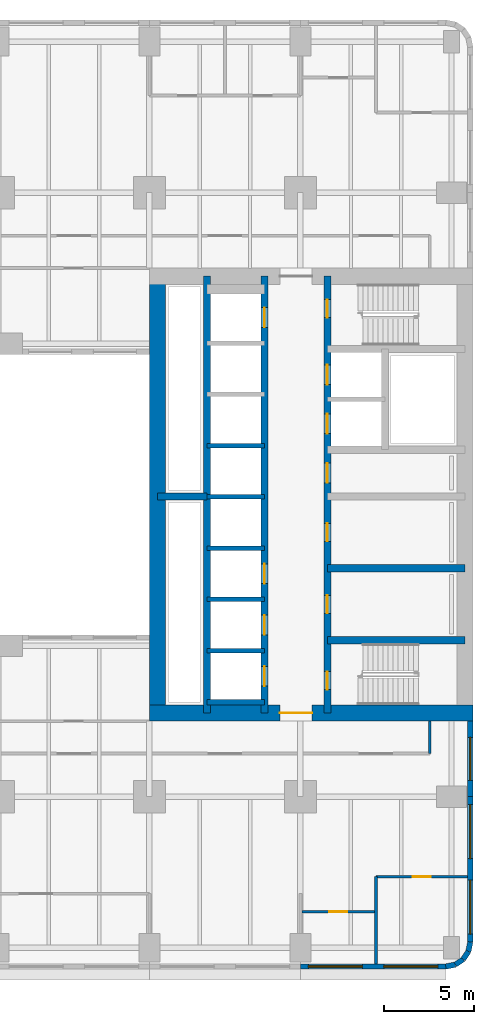
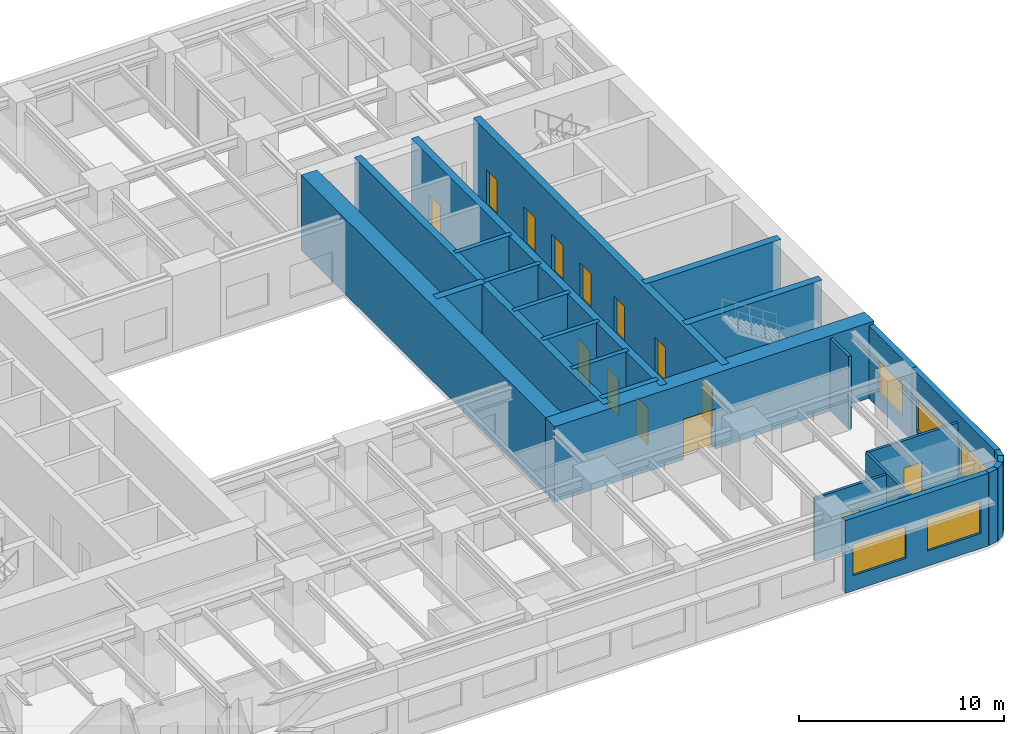
# One storey, part 5 of 12: 25 walls, 14 doors, 5 windows, 19 openings.
"""IFC4 building model written with IfcOpenShell, lengths in metres."""

from ifc_helpers import new_model, si_unit, direction, frame, frame_2d, origin, place, context, subcontext, project, spatial, rectangle, extrude, material, layer, layer_set, type_object, element, fill, save


model = new_model("IFC4")

# Units and contexts
model_context = context("Model", 3, precision=1e-05, world=origin(), true_north=direction((0.0, 1.0)))
body_context = subcontext(model_context, "Body", "Model", "MODEL_VIEW")
ifc_project = project(units=[si_unit("LENGTHUNIT", "METRE"), si_unit("AREAUNIT", "SQUARE_METRE"), si_unit("VOLUMEUNIT", "CUBIC_METRE"), si_unit("PLANEANGLEUNIT", "RADIAN"), si_unit("MASSUNIT", "GRAM", prefix="KILO")], contexts=[model_context])

# Site, building, storey
site_placement = place(None, origin())
site = spatial("IfcSite", under=ifc_project, at=site_placement, CompositionType="ELEMENT")
building_placement = place(site_placement, origin())
building = spatial("IfcBuilding", under=site, at=building_placement, Name="Claustro Exchange Tower", CompositionType="ELEMENT")
storey_placement = place(building_placement, frame((0.0, 0.0, 50.39990234375)))
storey = spatial("IfcBuildingStorey", under=building, at=storey_placement, Name="L11", CompositionType="ELEMENT", Elevation=50.39990234375)

# Wall, opening, door
ifc_material_1 = material(Name="Gypsum board on steel studs", Category="steel")
ifc_layer_1 = layer(ifc_material_1, 0.14990234375)
ifc_layer_set_1 = layer_set([ifc_layer_1], Name="Gypsum board on steel studs")
wall_type_1 = type_object("IfcWallType", Name="P1 150 plasterboard partition", PredefinedType="PARTITIONING", material=ifc_layer_set_1)
wall_1_placement = place(storey_placement, frame((42.073974609375, 2.0, 0.0), z_axis=(0.0, 0.0, 1.0), x_axis=(1.0, 0.0, 0.0)))
wall_1 = element("IfcWall", 1, at=wall_1_placement, inside=storey, type_object=wall_type_1, Name="Partition P1 L11", PredefinedType="PARTITIONING", context=body_context, shape_type="SweptSolid", body=[
    extrude(rectangle(XDim=4.052001953125, YDim=0.14990234375, at=frame_2d((2.02587890625, 0.0))), origin(), (0.0, 0.0, 1.0), 3.739990234375),
])
opening_1_placement = place(wall_1_placement, frame((1.52587890625, 0.0, 0.0)))
opening_1 = element("IfcOpeningElement", 2, at=opening_1_placement, cuts=wall_1, Name="Opening D1", PredefinedType="OPENING", context=body_context, shape_type="SweptSolid", body=[
    extrude(rectangle(XDim=1.0, YDim=2.199951171875, at=frame_2d((0.5, 1.10009765625))), frame((0.0, 0.0849609375, 0.0), z_axis=(0.0, -1.0, 0.0), x_axis=(1.0, 0.0, 0.0)), (0.0, 0.0, 1.0), 0.169921875),
])
ifc_material_2 = material(Name="Timber door, oak veneer", Category="wood")
door_type_1 = type_object("IfcDoorType", Name="D1 1000 x 2200 single door", OperationType="SINGLE_SWING_LEFT", PredefinedType="DOOR", material=ifc_material_2)
door_1_placement = place(opening_1_placement, frame((1.0, 0.0, 0.0), z_axis=(0.0, 0.0, 1.0), x_axis=(-1.0, 0.0, 0.0)))
door_1 = element("IfcDoor", 3, at=door_1_placement, inside=storey, type_object=door_type_1, Name="Door D1 L11", OperationType="SINGLE_SWING_RIGHT", OverallHeight=2.199951171875, OverallWidth=1.0, PredefinedType="DOOR", context=body_context, shape_type="SweptSolid", body=[
    extrude(rectangle(XDim=1.0, YDim=2.199951171875, at=frame_2d((0.5, 1.10009765625))), frame((0.0, 0.02490234375, 0.0), z_axis=(0.0, -1.0, 0.0), x_axis=(1.0, 0.0, 0.0)), (0.0, 0.0, 1.0), 0.050048828125),
])
fill(opening_1, door_1)

wall_2_placement = place(storey_placement, frame((46.199951171875, 3.949951171875, 0.0), z_axis=(0.0, 0.0, 1.0), x_axis=(1.0, 0.0, 0.0)))
wall_2 = element("IfcWall", 4, at=wall_2_placement, inside=storey, type_object=wall_type_1, Name="Partition P1 L11", PredefinedType="PARTITIONING", context=body_context, shape_type="SweptSolid", body=[
    extrude(rectangle(XDim=5.10205078125, YDim=0.14990234375, at=frame_2d((2.551025390625, 0.0))), origin(), (0.0, 0.0, 1.0), 3.840087890625),
])
opening_2_placement = place(wall_2_placement, frame((2.050048828125, 0.0, 0.0)))
opening_2 = element("IfcOpeningElement", 5, at=opening_2_placement, cuts=wall_2, Name="Opening D1", PredefinedType="OPENING", context=body_context, shape_type="SweptSolid", body=[
    extrude(rectangle(XDim=1.0, YDim=2.199951171875, at=frame_2d((0.5, 1.10009765625))), frame((0.0, 0.0849609375, 0.0), z_axis=(0.0, -1.0, 0.0), x_axis=(1.0, 0.0, 0.0)), (0.0, 0.0, 1.0), 0.169921875),
])
door_2_placement = place(opening_2_placement, frame((1.0, 0.0, 0.0), z_axis=(0.0, 0.0, 1.0), x_axis=(-1.0, 0.0, 0.0)))
door_2 = element("IfcDoor", 6, at=door_2_placement, inside=storey, type_object=door_type_1, Name="Door D1 L11", OperationType="SINGLE_SWING_RIGHT", OverallHeight=2.199951171875, OverallWidth=1.0, PredefinedType="DOOR", context=body_context, shape_type="SweptSolid", body=[
    extrude(rectangle(XDim=1.0, YDim=2.199951171875, at=frame_2d((0.5, 1.10009765625))), frame((0.0, 0.02490234375, 0.0), z_axis=(0.0, -1.0, 0.0), x_axis=(1.0, 0.0, 0.0)), (0.0, 0.0, 1.0), 0.050048828125),
])
fill(opening_2, door_2)

# Walls
wall_3_placement = place(storey_placement, frame((46.199951171875, -0.902099609375, 0.0), z_axis=(0.0, 0.0, 1.0), x_axis=(0.0, 1.0, 0.0)))
element("IfcWall", 7, at=wall_3_placement, inside=storey, type_object=wall_type_1, Name="Partition P1 L11", PredefinedType="PARTITIONING", context=body_context, shape_type="SweptSolid", body=[
    extrude(rectangle(XDim=4.85205078125, YDim=0.14990234375, at=frame_2d((2.426025390625, 0.0))), origin(), (0.0, 0.0, 1.0), 3.840087890625),
])
wall_4_placement = place(storey_placement, frame((49.199951171875, 10.800048828125, 0.0), z_axis=(0.0, 0.0, 1.0), x_axis=(0.0, 1.0, 0.0)))
element("IfcWall", 8, at=wall_4_placement, inside=storey, type_object=wall_type_1, Name="Partition P1 L11", PredefinedType="PARTITIONING", context=body_context, shape_type="SweptSolid", body=[
    extrude(rectangle(XDim=1.802001953125, YDim=0.14990234375, at=frame_2d((0.90087890625, 0.0))), origin(), (0.0, 0.0, 1.0), 4.340087890625),
])

# Wall, openings, windows
ifc_material_3 = material(Name="Concrete HA-40 (C40/50), precast, white cement, acid-etched", Category="concrete")
ifc_layer_2 = layer(ifc_material_3, 0.300048828125)
ifc_layer_set_2 = layer_set([ifc_layer_2], Name="Concrete HA-40 (C40/50), precast, white cement, acid-etched")
wall_type_2 = type_object("IfcWallType", Name="PC1 300 precast concrete pier panel", PredefinedType="SOLIDWALL", material=ifc_layer_set_2)
wall_5_placement = place(storey_placement, frame((50.085205078125, -1.050048828125, 0.0), z_axis=(0.0, 0.0, 1.0), x_axis=(-1.0, 0.0, 0.0)))
wall_5 = element("IfcWall", 9, at=wall_5_placement, inside=storey, type_object=wall_type_2, Name="Precast pier panel PC1 L11", PredefinedType="SOLIDWALL", context=body_context, shape_type="SweptSolid", body=[
    extrude(rectangle(XDim=8.085205078125, YDim=0.300048828125, at=frame_2d((4.04248046875, 0.0))), origin(), (0.0, 0.0, 1.0), 4.340087890625),
])
opening_3_placement = place(wall_5_placement, frame((0.442626953125, 0.0, 0.89990234375)))
opening_3 = element("IfcOpeningElement", 10, at=opening_3_placement, cuts=wall_5, Name="Opening W1", PredefinedType="OPENING", context=body_context, shape_type="SweptSolid", body=[
    extrude(rectangle(XDim=3.0, YDim=1.89990234375, at=frame_2d((1.5, 0.949951171875))), frame((0.0, 0.159912109375, 0.0), z_axis=(0.0, -1.0, 0.0), x_axis=(1.0, 0.0, 0.0)), (0.0, 0.0, 1.0), 0.320068359375),
])
opening_4_placement = place(wall_5_placement, frame((4.642578125, 0.0, 0.89990234375)))
opening_4 = element("IfcOpeningElement", 11, at=opening_4_placement, cuts=wall_5, Name="Opening W1", PredefinedType="OPENING", context=body_context, shape_type="SweptSolid", body=[
    extrude(rectangle(XDim=3.0, YDim=1.89990234375, at=frame_2d((1.5, 0.949951171875))), frame((0.0, 0.159912109375, 0.0), z_axis=(0.0, -1.0, 0.0), x_axis=(1.0, 0.0, 0.0)), (0.0, 0.0, 1.0), 0.320068359375),
])
ifc_material_4 = material(Name="Aluminium frame, clear double glazing", Category="aluminium")
window_type_1 = type_object("IfcWindowType", Name="W1 3000 x 1900 window", PartitioningType="SINGLE_PANEL", PredefinedType="WINDOW", material=ifc_material_4)
window_1_placement = place(opening_3_placement, origin())
window_1 = element("IfcWindow", 12, at=window_1_placement, inside=storey, type_object=window_type_1, Name="Window W1 L11", OverallHeight=1.89990234375, OverallWidth=3.0, PartitioningType="SINGLE_PANEL", PredefinedType="WINDOW", context=body_context, shape_type="SweptSolid", body=[
    extrude(rectangle(XDim=3.0, YDim=1.89990234375, at=frame_2d((1.5, 0.949951171875))), frame((0.0, 0.030029296875, 0.0), z_axis=(0.0, -1.0, 0.0), x_axis=(1.0, 0.0, 0.0)), (0.0, 0.0, 1.0), 0.06005859375),
])
fill(opening_3, window_1)
window_2_placement = place(opening_4_placement, origin())
window_2 = element("IfcWindow", 13, at=window_2_placement, inside=storey, type_object=window_type_1, Name="Window W1 L11", OverallHeight=1.89990234375, OverallWidth=3.0, PartitioningType="SINGLE_PANEL", PredefinedType="WINDOW", context=body_context, shape_type="SweptSolid", body=[
    extrude(rectangle(XDim=3.0, YDim=1.89990234375, at=frame_2d((1.5, 0.949951171875))), frame((0.0, 0.030029296875, 0.0), z_axis=(0.0, -1.0, 0.0), x_axis=(1.0, 0.0, 0.0)), (0.0, 0.0, 1.0), 0.06005859375),
])
fill(opening_4, window_2)

# Wall, opening, window
wall_6_placement = place(storey_placement, frame((51.449951171875, 12.60009765625, 0.0), z_axis=(0.0, 0.0, 1.0), x_axis=(0.0, -1.0, 0.0)))
wall_6 = element("IfcWall", 14, at=wall_6_placement, inside=storey, type_object=wall_type_2, Name="Precast pier panel PC1 L11", PredefinedType="SOLIDWALL", context=body_context, shape_type="SweptSolid", body=[
    extrude(rectangle(XDim=4.2001953125, YDim=0.300048828125, at=frame_2d((2.10009765625, 0.0))), origin(), (0.0, 0.0, 1.0), 4.340087890625),
])
opening_5_placement = place(wall_6_placement, frame((0.89990234375, 0.0, 0.89990234375)))
opening_5 = element("IfcOpeningElement", 15, at=opening_5_placement, cuts=wall_6, Name="Opening W2", PredefinedType="OPENING", context=body_context, shape_type="SweptSolid", body=[
    extrude(rectangle(XDim=2.39990234375, YDim=1.89990234375, at=frame_2d((1.199951171875, 0.949951171875))), frame((0.0, 0.159912109375, 0.0), z_axis=(0.0, -1.0, 0.0), x_axis=(1.0, 0.0, 0.0)), (0.0, 0.0, 1.0), 0.320068359375),
])
ifc_material_5 = material(Name="Aluminium frame, clear double glazing", Category="aluminium")
window_type_2 = type_object("IfcWindowType", Name="W2 2400 x 1900 window", PartitioningType="SINGLE_PANEL", PredefinedType="WINDOW", material=ifc_material_5)
window_3_placement = place(opening_5_placement, origin())
window_3 = element("IfcWindow", 16, at=window_3_placement, inside=storey, type_object=window_type_2, Name="Window W2 L11", OverallHeight=1.89990234375, OverallWidth=2.39990234375, PartitioningType="SINGLE_PANEL", PredefinedType="WINDOW", context=body_context, shape_type="SweptSolid", body=[
    extrude(rectangle(XDim=2.39990234375, YDim=1.89990234375, at=frame_2d((1.199951171875, 0.949951171875))), frame((0.0, 0.030029296875, 0.0), z_axis=(0.0, -1.0, 0.0), x_axis=(1.0, 0.0, 0.0)), (0.0, 0.0, 1.0), 0.06005859375),
])
fill(opening_5, window_3)

# Wall, openings, windows
wall_7_placement = place(storey_placement, frame((51.449951171875, 8.39990234375, 0.0), z_axis=(0.0, 0.0, 1.0), x_axis=(0.0, -1.0, 0.0)))
wall_7 = element("IfcWall", 17, at=wall_7_placement, inside=storey, type_object=wall_type_2, Name="Precast pier panel PC1 L11", PredefinedType="SOLIDWALL", context=body_context, shape_type="SweptSolid", body=[
    extrude(rectangle(XDim=8.085205078125, YDim=0.300048828125, at=frame_2d((4.04248046875, 0.0))), origin(), (0.0, 0.0, 1.0), 4.340087890625),
])
opening_6_placement = place(wall_7_placement, frame((0.442626953125, 0.0, 0.89990234375)))
opening_6 = element("IfcOpeningElement", 18, at=opening_6_placement, cuts=wall_7, Name="Opening W1", PredefinedType="OPENING", context=body_context, shape_type="SweptSolid", body=[
    extrude(rectangle(XDim=3.0, YDim=1.89990234375, at=frame_2d((1.5, 0.949951171875))), frame((0.0, 0.159912109375, 0.0), z_axis=(0.0, -1.0, 0.0), x_axis=(1.0, 0.0, 0.0)), (0.0, 0.0, 1.0), 0.320068359375),
])
opening_7_placement = place(wall_7_placement, frame((4.642578125, 0.0, 0.89990234375)))
opening_7 = element("IfcOpeningElement", 19, at=opening_7_placement, cuts=wall_7, Name="Opening W1", PredefinedType="OPENING", context=body_context, shape_type="SweptSolid", body=[
    extrude(rectangle(XDim=3.0, YDim=1.89990234375, at=frame_2d((1.5, 0.949951171875))), frame((0.0, 0.159912109375, 0.0), z_axis=(0.0, -1.0, 0.0), x_axis=(1.0, 0.0, 0.0)), (0.0, 0.0, 1.0), 0.320068359375),
])
window_4_placement = place(opening_6_placement, origin())
window_4 = element("IfcWindow", 20, at=window_4_placement, inside=storey, type_object=window_type_1, Name="Window W1 L11", OverallHeight=1.89990234375, OverallWidth=3.0, PartitioningType="SINGLE_PANEL", PredefinedType="WINDOW", context=body_context, shape_type="SweptSolid", body=[
    extrude(rectangle(XDim=3.0, YDim=1.89990234375, at=frame_2d((1.5, 0.949951171875))), frame((0.0, 0.030029296875, 0.0), z_axis=(0.0, -1.0, 0.0), x_axis=(1.0, 0.0, 0.0)), (0.0, 0.0, 1.0), 0.06005859375),
])
fill(opening_6, window_4)
window_5_placement = place(opening_7_placement, origin())
window_5 = element("IfcWindow", 21, at=window_5_placement, inside=storey, type_object=window_type_1, Name="Window W1 L11", OverallHeight=1.89990234375, OverallWidth=3.0, PartitioningType="SINGLE_PANEL", PredefinedType="WINDOW", context=body_context, shape_type="SweptSolid", body=[
    extrude(rectangle(XDim=3.0, YDim=1.89990234375, at=frame_2d((1.5, 0.949951171875))), frame((0.0, 0.030029296875, 0.0), z_axis=(0.0, -1.0, 0.0), x_axis=(1.0, 0.0, 0.0)), (0.0, 0.0, 1.0), 0.06005859375),
])
fill(opening_7, window_5)

# Walls
wall_8_placement = place(storey_placement, frame((51.449951171875, 0.314697265625, 0.0), z_axis=(0.0, 0.0, 1.0), x_axis=(-0.195073962632, -0.980788534345, 0.0)))
element("IfcWall", 22, at=wall_8_placement, inside=storey, type_object=wall_type_2, Name="Precast pier panel PC1 L11", PredefinedType="SOLIDWALL", context=body_context, shape_type="SweptSolid", body=[
    extrude(rectangle(XDim=0.540771484375, YDim=0.300048828125, at=frame_2d((0.2705078125, 0.0))), origin(), (0.0, 0.0, 1.0), 4.340087890625),
])
for number, where, z_axis, x_axis, name in (
    (23, (51.344482421875, -0.215576171875, 0.0), (0.0, 0.0, 1.0), (-0.555557463938, -0.831478144188, 0.0), "Precast pier panel PC1 L11"),
    (24, (51.052490234375, -0.652587890625, 0.0), (0.0, 0.0, 1.0), (-0.831478144188, -0.555557463938, 0.0), "Precast pier panel PC1 L11"),
):
    element("IfcWall", number, at=place(storey_placement, frame(where, z_axis=z_axis, x_axis=x_axis)), inside=storey, type_object=wall_type_2, Name=name, PredefinedType="SOLIDWALL", context=body_context, shape_type="SweptSolid", body=[
        extrude(rectangle(XDim=0.525634765625, YDim=0.300048828125, at=frame_2d((0.2626953125, 0.0))), origin(), (0.0, 0.0, 1.0), 4.340087890625),
    ])
wall_9_placement = place(storey_placement, frame((50.615478515625, -0.944580078125, 0.0), z_axis=(0.0, 0.0, 1.0), x_axis=(-0.980788534345, -0.195073962632, 0.0)))
element("IfcWall", 25, at=wall_9_placement, inside=storey, type_object=wall_type_2, Name="Precast pier panel PC1 L11", PredefinedType="SOLIDWALL", context=body_context, shape_type="SweptSolid", body=[
    extrude(rectangle(XDim=0.540771484375, YDim=0.300048828125, at=frame_2d((0.2705078125, 0.0))), origin(), (0.0, 0.0, 1.0), 4.340087890625),
])

# Wall, opening, door
ifc_material_6 = material(Name="Concrete HA-70 (C70/85)", Category="concrete")
ifc_layer_3 = layer(ifc_material_6, 0.89990234375)
ifc_layer_set_3 = layer_set([ifc_layer_3], Name="Concrete HA-70 (C70/85)")
wall_type_3 = type_object("IfcWallType", Name="SW1 900 core shear wall", PredefinedType="SHEAR", material=ifc_layer_set_3)
wall_10_placement = place(storey_placement, frame((33.60009765625, 13.050048828125, 0.0), z_axis=(0.0, 0.0, 1.0), x_axis=(1.0, 0.0, 0.0)))
wall_10 = element("IfcWall", 26, at=wall_10_placement, inside=storey, type_object=wall_type_3, Name="Core wall SW1 E core S face L11", PredefinedType="SHEAR", context=body_context, shape_type="SweptSolid", body=[
    extrude(rectangle(XDim=18.0, YDim=0.89990234375, at=frame_2d((9.0, 0.0))), origin(), (0.0, 0.0, 1.0), 4.5),
])
opening_8_placement = place(wall_10_placement, frame((7.25, 0.0, 0.0)))
opening_8 = element("IfcOpeningElement", 27, at=opening_8_placement, cuts=wall_10, Name="Opening D3", PredefinedType="OPENING", context=body_context, shape_type="SweptSolid", body=[
    extrude(rectangle(XDim=1.800048828125, YDim=2.39990234375, at=frame_2d((0.89990234375, 1.199951171875))), frame((0.0, 0.4599609375, 0.0), z_axis=(0.0, -1.0, 0.0), x_axis=(1.0, 0.0, 0.0)), (0.0, 0.0, 1.0), 0.919921875),
])
ifc_material_7 = material(Name="Steel fire door, painted", Category="steel")
door_type_2 = type_object("IfcDoorType", Name="D3 1800 x 2400 fire-rated lobby double door", OperationType="DOUBLE_DOOR_SINGLE_SWING", PredefinedType="DOOR", material=ifc_material_7)
door_3_placement = place(opening_8_placement, origin())
door_3 = element("IfcDoor", 28, at=door_3_placement, inside=storey, type_object=door_type_2, Name="Lift lobby door D3 L11", OperationType="DOUBLE_DOOR_SINGLE_SWING", OverallHeight=2.39990234375, OverallWidth=1.800048828125, PredefinedType="DOOR", context=body_context, shape_type="SweptSolid", body=[
    extrude(rectangle(XDim=1.800048828125, YDim=2.39990234375, at=frame_2d((0.89990234375, 1.199951171875))), frame((0.0, 0.02490234375, 0.0), z_axis=(0.0, -1.0, 0.0), x_axis=(1.0, 0.0, 0.0)), (0.0, 0.0, 1.0), 0.050048828125),
])
fill(opening_8, door_3)

# Wall
ifc_material_8 = material(Name="Concrete HA-70 (C70/85)", Category="concrete")
ifc_layer_4 = layer(ifc_material_8, 0.89990234375)
ifc_layer_set_4 = layer_set([ifc_layer_4], Name="Concrete HA-70 (C70/85)")
wall_type_4 = type_object("IfcWallType", Name="SW1X 900 exposed core shear wall, board-marked face", PredefinedType="SHEAR", material=ifc_layer_set_4)
wall_11_placement = place(storey_placement, frame((34.050048828125, 13.050048828125, 0.0), z_axis=(0.0, 0.0, 1.0), x_axis=(0.0, 1.0, 0.0)))
element("IfcWall", 29, at=wall_11_placement, inside=storey, type_object=wall_type_4, Name="Core wall SW1X E core W face L11", PredefinedType="SHEAR", context=body_context, shape_type="SweptSolid", body=[
    extrude(rectangle(XDim=24.300048828125, YDim=0.89990234375, at=frame_2d((12.14990234375, 0.0))), origin(), (0.0, 0.0, 1.0), 4.5),
])

# Wall, openings, doors
ifc_material_9 = material(Name="Concrete HA-50 (C50/60)", Category="concrete")
ifc_layer_5 = layer(ifc_material_9, 0.39990234375)
ifc_layer_set_5 = layer_set([ifc_layer_5], Name="Concrete HA-50 (C50/60)")
wall_type_5 = type_object("IfcWallType", Name="SW4 400 internal core wall", PredefinedType="SHEAR", material=ifc_layer_set_5)
wall_12_placement = place(storey_placement, frame((43.5, 13.050048828125, 0.0), z_axis=(0.0, 0.0, 1.0), x_axis=(0.0, 1.0, 0.0)))
wall_12 = element("IfcWall", 30, at=wall_12_placement, inside=storey, type_object=wall_type_5, Name="Internal core wall SW4 E core L11", PredefinedType="SHEAR", context=body_context, shape_type="SweptSolid", body=[
    extrude(rectangle(XDim=24.300048828125, YDim=0.39990234375, at=frame_2d((12.14990234375, 0.0))), origin(), (0.0, 0.0, 1.0), 4.5),
])
opening_9_placement = place(wall_12_placement, frame((1.300048828125, 0.0, 0.0)))
opening_9 = element("IfcOpeningElement", 31, at=opening_9_placement, cuts=wall_12, Name="Opening D4", PredefinedType="OPENING", context=body_context, shape_type="SweptSolid", body=[
    extrude(rectangle(XDim=1.0, YDim=2.199951171875, at=frame_2d((0.5, 1.10009765625))), frame((0.0, 0.2099609375, 0.0), z_axis=(0.0, -1.0, 0.0), x_axis=(1.0, 0.0, 0.0)), (0.0, 0.0, 1.0), 0.419921875),
])
opening_10_placement = place(wall_12_placement, frame((22.0, 0.0, 0.0)))
opening_10 = element("IfcOpeningElement", 32, at=opening_10_placement, cuts=wall_12, Name="Opening D4", PredefinedType="OPENING", context=body_context, shape_type="SweptSolid", body=[
    extrude(rectangle(XDim=1.0, YDim=2.199951171875, at=frame_2d((0.5, 1.10009765625))), frame((0.0, 0.2099609375, 0.0), z_axis=(0.0, -1.0, 0.0), x_axis=(1.0, 0.0, 0.0)), (0.0, 0.0, 1.0), 0.419921875),
])
opening_11_placement = place(wall_12_placement, frame((5.550048828125, 0.0, 0.0)))
opening_11 = element("IfcOpeningElement", 33, at=opening_11_placement, cuts=wall_12, Name="Opening D1", PredefinedType="OPENING", context=body_context, shape_type="SweptSolid", body=[
    extrude(rectangle(XDim=1.0, YDim=2.199951171875, at=frame_2d((0.5, 1.10009765625))), frame((0.0, 0.2099609375, 0.0), z_axis=(0.0, -1.0, 0.0), x_axis=(1.0, 0.0, 0.0)), (0.0, 0.0, 1.0), 0.419921875),
])
opening_12_placement = place(wall_12_placement, frame((9.550048828125, 0.0, 0.0)))
opening_12 = element("IfcOpeningElement", 34, at=opening_12_placement, cuts=wall_12, Name="Opening D1", PredefinedType="OPENING", context=body_context, shape_type="SweptSolid", body=[
    extrude(rectangle(XDim=1.0, YDim=2.199951171875, at=frame_2d((0.5, 1.10009765625))), frame((0.0, 0.2099609375, 0.0), z_axis=(0.0, -1.0, 0.0), x_axis=(1.0, 0.0, 0.0)), (0.0, 0.0, 1.0), 0.419921875),
])
opening_13_placement = place(wall_12_placement, frame((12.800048828125, 0.0, 0.0)))
opening_13 = element("IfcOpeningElement", 35, at=opening_13_placement, cuts=wall_12, Name="Opening D10", PredefinedType="OPENING", context=body_context, shape_type="SweptSolid", body=[
    extrude(rectangle(XDim=1.10009765625, YDim=2.199951171875, at=frame_2d((0.550048828125, 1.10009765625))), frame((0.0, 0.2099609375, 0.0), z_axis=(0.0, -1.0, 0.0), x_axis=(1.0, 0.0, 0.0)), (0.0, 0.0, 1.0), 0.419921875),
])
opening_14_placement = place(wall_12_placement, frame((15.53759765625, 0.0, 0.0)))
opening_14 = element("IfcOpeningElement", 36, at=opening_14_placement, cuts=wall_12, Name="Opening LD", PredefinedType="OPENING", context=body_context, shape_type="SweptSolid", body=[
    extrude(rectangle(XDim=1.10009765625, YDim=2.199951171875, at=frame_2d((0.550048828125, 1.10009765625))), frame((0.0, 0.2099609375, 0.0), z_axis=(0.0, -1.0, 0.0), x_axis=(1.0, 0.0, 0.0)), (0.0, 0.0, 1.0), 0.419921875),
])
opening_15_placement = place(wall_12_placement, frame((18.262451171875, 0.0, 0.0)))
opening_15 = element("IfcOpeningElement", 37, at=opening_15_placement, cuts=wall_12, Name="Opening LD", PredefinedType="OPENING", context=body_context, shape_type="SweptSolid", body=[
    extrude(rectangle(XDim=1.10009765625, YDim=2.199951171875, at=frame_2d((0.550048828125, 1.10009765625))), frame((0.0, 0.2099609375, 0.0), z_axis=(0.0, -1.0, 0.0), x_axis=(1.0, 0.0, 0.0)), (0.0, 0.0, 1.0), 0.419921875),
])
door_4_placement = place(opening_11_placement, frame((1.0, 0.0, 0.0), z_axis=(0.0, 0.0, 1.0), x_axis=(-1.0, 0.0, 0.0)))
door_4 = element("IfcDoor", 38, at=door_4_placement, inside=storey, type_object=door_type_1, Name="Door D1 L11", OperationType="SINGLE_SWING_LEFT", OverallHeight=2.199951171875, OverallWidth=1.0, PredefinedType="DOOR", context=body_context, shape_type="SweptSolid", body=[
    extrude(rectangle(XDim=1.0, YDim=2.199951171875, at=frame_2d((0.5, 1.10009765625))), frame((0.0, 0.02490234375, 0.0), z_axis=(0.0, -1.0, 0.0), x_axis=(1.0, 0.0, 0.0)), (0.0, 0.0, 1.0), 0.050048828125),
])
fill(opening_11, door_4)
door_5_placement = place(opening_12_placement, frame((1.0, 0.0, 0.0), z_axis=(0.0, 0.0, 1.0), x_axis=(-1.0, 0.0, 0.0)))
door_5 = element("IfcDoor", 39, at=door_5_placement, inside=storey, type_object=door_type_1, Name="Door D1 L11", OperationType="SINGLE_SWING_LEFT", OverallHeight=2.199951171875, OverallWidth=1.0, PredefinedType="DOOR", context=body_context, shape_type="SweptSolid", body=[
    extrude(rectangle(XDim=1.0, YDim=2.199951171875, at=frame_2d((0.5, 1.10009765625))), frame((0.0, 0.02490234375, 0.0), z_axis=(0.0, -1.0, 0.0), x_axis=(1.0, 0.0, 0.0)), (0.0, 0.0, 1.0), 0.050048828125),
])
fill(opening_12, door_5)
ifc_material_10 = material(Name="Timber door, oak veneer", Category="wood")
door_type_3 = type_object("IfcDoorType", Name="D10 1100 x 2200 accessible WC door", OperationType="SINGLE_SWING_LEFT", PredefinedType="DOOR", material=ifc_material_10)
door_6_placement = place(opening_13_placement, origin())
door_6 = element("IfcDoor", 40, at=door_6_placement, inside=storey, type_object=door_type_3, Name="Accessible WC door D10 L11", OperationType="SINGLE_SWING_RIGHT", OverallHeight=2.199951171875, OverallWidth=1.10009765625, PredefinedType="DOOR", context=body_context, shape_type="SweptSolid", body=[
    extrude(rectangle(XDim=1.10009765625, YDim=2.199951171875, at=frame_2d((0.550048828125, 1.10009765625))), frame((0.0, 0.02490234375, 0.0), z_axis=(0.0, -1.0, 0.0), x_axis=(1.0, 0.0, 0.0)), (0.0, 0.0, 1.0), 0.050048828125),
])
fill(opening_13, door_6)
ifc_material_11 = material(Name="Steel fire door, painted", Category="steel")
door_type_4 = type_object("IfcDoorType", Name="D4 1000 x 2200 fire-rated stair door", OperationType="SINGLE_SWING_LEFT", PredefinedType="DOOR", material=ifc_material_11)
door_7_placement = place(opening_9_placement, frame((1.0, 0.0, 0.0), z_axis=(0.0, 0.0, 1.0), x_axis=(-1.0, 0.0, 0.0)))
door_7 = element("IfcDoor", 41, at=door_7_placement, inside=storey, type_object=door_type_4, Name="Stair door D4 L11", OperationType="SINGLE_SWING_RIGHT", OverallHeight=2.199951171875, OverallWidth=1.0, PredefinedType="DOOR", context=body_context, shape_type="SweptSolid", body=[
    extrude(rectangle(XDim=1.0, YDim=2.199951171875, at=frame_2d((0.5, 1.10009765625))), frame((0.0, 0.02490234375, 0.0), z_axis=(0.0, -1.0, 0.0), x_axis=(1.0, 0.0, 0.0)), (0.0, 0.0, 1.0), 0.050048828125),
])
fill(opening_9, door_7)
door_8_placement = place(opening_10_placement, frame((1.0, 0.0, 0.0), z_axis=(0.0, 0.0, 1.0), x_axis=(-1.0, 0.0, 0.0)))
door_8 = element("IfcDoor", 42, at=door_8_placement, inside=storey, type_object=door_type_4, Name="Stair door D4 L11", OperationType="SINGLE_SWING_LEFT", OverallHeight=2.199951171875, OverallWidth=1.0, PredefinedType="DOOR", context=body_context, shape_type="SweptSolid", body=[
    extrude(rectangle(XDim=1.0, YDim=2.199951171875, at=frame_2d((0.5, 1.10009765625))), frame((0.0, 0.02490234375, 0.0), z_axis=(0.0, -1.0, 0.0), x_axis=(1.0, 0.0, 0.0)), (0.0, 0.0, 1.0), 0.050048828125),
])
fill(opening_10, door_8)
ifc_material_12 = material(Name="Stainless steel sliding door", Category="steel")
door_type_5 = type_object("IfcDoorType", Name="LD 1100 x 2200 lift landing door", OperationType="DOUBLE_DOOR_SLIDING", PredefinedType="DOOR", material=ifc_material_12)
door_9_placement = place(opening_14_placement, origin())
door_9 = element("IfcDoor", 43, at=door_9_placement, inside=storey, type_object=door_type_5, Name="Lift landing door LEE1 LD L11", OperationType="DOUBLE_DOOR_SLIDING", OverallHeight=2.199951171875, OverallWidth=1.10009765625, PredefinedType="DOOR", context=body_context, shape_type="SweptSolid", body=[
    extrude(rectangle(XDim=1.10009765625, YDim=2.199951171875, at=frame_2d((0.550048828125, 1.10009765625))), frame((0.0, 0.02490234375, 0.0), z_axis=(0.0, -1.0, 0.0), x_axis=(1.0, 0.0, 0.0)), (0.0, 0.0, 1.0), 0.050048828125),
])
fill(opening_14, door_9)
door_10_placement = place(opening_15_placement, origin())
door_10 = element("IfcDoor", 44, at=door_10_placement, inside=storey, type_object=door_type_5, Name="Lift landing door LEE2 LD L11", OperationType="DOUBLE_DOOR_SLIDING", OverallHeight=2.199951171875, OverallWidth=1.10009765625, PredefinedType="DOOR", context=body_context, shape_type="SweptSolid", body=[
    extrude(rectangle(XDim=1.10009765625, YDim=2.199951171875, at=frame_2d((0.550048828125, 1.10009765625))), frame((0.0, 0.02490234375, 0.0), z_axis=(0.0, -1.0, 0.0), x_axis=(1.0, 0.0, 0.0)), (0.0, 0.0, 1.0), 0.050048828125),
])
fill(opening_15, door_10)

wall_13_placement = place(storey_placement, frame((40.0, 13.050048828125, 0.0), z_axis=(0.0, 0.0, 1.0), x_axis=(0.0, 1.0, 0.0)))
wall_13 = element("IfcWall", 45, at=wall_13_placement, inside=storey, type_object=wall_type_5, Name="Internal core wall SW4 E core L11", PredefinedType="SHEAR", context=body_context, shape_type="SweptSolid", body=[
    extrude(rectangle(XDim=24.300048828125, YDim=0.39990234375, at=frame_2d((12.14990234375, 0.0))), origin(), (0.0, 0.0, 1.0), 4.5),
])
opening_16_placement = place(wall_13_placement, frame((1.5, 0.0, 0.0)))
opening_16 = element("IfcOpeningElement", 46, at=opening_16_placement, cuts=wall_13, Name="Opening LD", PredefinedType="OPENING", context=body_context, shape_type="SweptSolid", body=[
    extrude(rectangle(XDim=1.10009765625, YDim=2.199951171875, at=frame_2d((0.550048828125, 1.10009765625))), frame((0.0, 0.2099609375, 0.0), z_axis=(0.0, -1.0, 0.0), x_axis=(1.0, 0.0, 0.0)), (0.0, 0.0, 1.0), 0.419921875),
])
opening_17_placement = place(wall_13_placement, frame((4.35009765625, 0.0, 0.0)))
opening_17 = element("IfcOpeningElement", 47, at=opening_17_placement, cuts=wall_13, Name="Opening LD", PredefinedType="OPENING", context=body_context, shape_type="SweptSolid", body=[
    extrude(rectangle(XDim=1.10009765625, YDim=2.199951171875, at=frame_2d((0.550048828125, 1.10009765625))), frame((0.0, 0.2099609375, 0.0), z_axis=(0.0, -1.0, 0.0), x_axis=(1.0, 0.0, 0.0)), (0.0, 0.0, 1.0), 0.419921875),
])
opening_18_placement = place(wall_13_placement, frame((7.199951171875, 0.0, 0.0)))
opening_18 = element("IfcOpeningElement", 48, at=opening_18_placement, cuts=wall_13, Name="Opening LD", PredefinedType="OPENING", context=body_context, shape_type="SweptSolid", body=[
    extrude(rectangle(XDim=1.10009765625, YDim=2.199951171875, at=frame_2d((0.550048828125, 1.10009765625))), frame((0.0, 0.2099609375, 0.0), z_axis=(0.0, -1.0, 0.0), x_axis=(1.0, 0.0, 0.0)), (0.0, 0.0, 1.0), 0.419921875),
])
opening_19_placement = place(wall_13_placement, frame((21.449951171875, 0.0, 0.0)))
opening_19 = element("IfcOpeningElement", 49, at=opening_19_placement, cuts=wall_13, Name="Opening LD", PredefinedType="OPENING", context=body_context, shape_type="SweptSolid", body=[
    extrude(rectangle(XDim=1.10009765625, YDim=2.199951171875, at=frame_2d((0.550048828125, 1.10009765625))), frame((0.0, 0.2099609375, 0.0), z_axis=(0.0, -1.0, 0.0), x_axis=(1.0, 0.0, 0.0)), (0.0, 0.0, 1.0), 0.419921875),
])
door_11_placement = place(opening_16_placement, origin())
door_11 = element("IfcDoor", 50, at=door_11_placement, inside=storey, type_object=door_type_5, Name="Lift landing door LLE1 LD L11", OperationType="DOUBLE_DOOR_SLIDING", OverallHeight=2.199951171875, OverallWidth=1.10009765625, PredefinedType="DOOR", context=body_context, shape_type="SweptSolid", body=[
    extrude(rectangle(XDim=1.10009765625, YDim=2.199951171875, at=frame_2d((0.550048828125, 1.10009765625))), frame((0.0, 0.02490234375, 0.0), z_axis=(0.0, -1.0, 0.0), x_axis=(1.0, 0.0, 0.0)), (0.0, 0.0, 1.0), 0.050048828125),
])
fill(opening_16, door_11)
door_12_placement = place(opening_17_placement, origin())
door_12 = element("IfcDoor", 51, at=door_12_placement, inside=storey, type_object=door_type_5, Name="Lift landing door LLE2 LD L11", OperationType="DOUBLE_DOOR_SLIDING", OverallHeight=2.199951171875, OverallWidth=1.10009765625, PredefinedType="DOOR", context=body_context, shape_type="SweptSolid", body=[
    extrude(rectangle(XDim=1.10009765625, YDim=2.199951171875, at=frame_2d((0.550048828125, 1.10009765625))), frame((0.0, 0.02490234375, 0.0), z_axis=(0.0, -1.0, 0.0), x_axis=(1.0, 0.0, 0.0)), (0.0, 0.0, 1.0), 0.050048828125),
])
fill(opening_17, door_12)
door_13_placement = place(opening_18_placement, origin())
door_13 = element("IfcDoor", 52, at=door_13_placement, inside=storey, type_object=door_type_5, Name="Lift landing door LLE3 LD L11", OperationType="DOUBLE_DOOR_SLIDING", OverallHeight=2.199951171875, OverallWidth=1.10009765625, PredefinedType="DOOR", context=body_context, shape_type="SweptSolid", body=[
    extrude(rectangle(XDim=1.10009765625, YDim=2.199951171875, at=frame_2d((0.550048828125, 1.10009765625))), frame((0.0, 0.02490234375, 0.0), z_axis=(0.0, -1.0, 0.0), x_axis=(1.0, 0.0, 0.0)), (0.0, 0.0, 1.0), 0.050048828125),
])
fill(opening_18, door_13)
door_14_placement = place(opening_19_placement, origin())
door_14 = element("IfcDoor", 53, at=door_14_placement, inside=storey, type_object=door_type_5, Name="Lift landing door LSE1 LD L11", OperationType="DOUBLE_DOOR_SLIDING", OverallHeight=2.199951171875, OverallWidth=1.10009765625, PredefinedType="DOOR", context=body_context, shape_type="SweptSolid", body=[
    extrude(rectangle(XDim=1.10009765625, YDim=2.199951171875, at=frame_2d((0.550048828125, 1.10009765625))), frame((0.0, 0.02490234375, 0.0), z_axis=(0.0, -1.0, 0.0), x_axis=(1.0, 0.0, 0.0)), (0.0, 0.0, 1.0), 0.050048828125),
])
fill(opening_19, door_14)

# Walls
wall_14_placement = place(storey_placement, frame((36.800048828125, 13.050048828125, 0.0), z_axis=(0.0, 0.0, 1.0), x_axis=(0.0, 1.0, 0.0)))
element("IfcWall", 54, at=wall_14_placement, inside=storey, type_object=wall_type_5, Name="Internal core wall SW4 E core L11", PredefinedType="SHEAR", context=body_context, shape_type="SweptSolid", body=[
    extrude(rectangle(XDim=24.300048828125, YDim=0.39990234375, at=frame_2d((12.14990234375, 0.0))), origin(), (0.0, 0.0, 1.0), 4.5),
])
for number, where, z_axis, x_axis, name in (
    (55, (51.14990234375, 17.10009765625, 0.0), (0.0, 0.0, 1.0), (-1.0, 0.0, 0.0), "Internal core wall SW4 E core L11"),
    (56, (51.14990234375, 21.10009765625, 0.0), (0.0, 0.0, 1.0), (-1.0, 0.0, 0.0), "Internal core wall SW4 E core L11"),
):
    element("IfcWall", number, at=place(storey_placement, frame(where, z_axis=z_axis, x_axis=x_axis)), inside=storey, type_object=wall_type_5, Name=name, PredefinedType="SHEAR", context=body_context, shape_type="SweptSolid", body=[
        extrude(rectangle(XDim=7.64990234375, YDim=0.39990234375, at=frame_2d((3.824951171875, 0.0))), origin(), (0.0, 0.0, 1.0), 4.5),
    ])
wall_15_placement = place(storey_placement, frame((36.800048828125, 25.10009765625, 0.0), z_axis=(0.0, 0.0, 1.0), x_axis=(-1.0, 0.0, 0.0)))
element("IfcWall", 57, at=wall_15_placement, inside=storey, type_object=wall_type_5, Name="Internal core wall SW4 E core L11", PredefinedType="SHEAR", context=body_context, shape_type="SweptSolid", body=[
    extrude(rectangle(XDim=2.75, YDim=0.39990234375, at=frame_2d((1.375, 0.0))), origin(), (0.0, 0.0, 1.0), 4.5),
])
ifc_material_13 = material(Name="Concrete HA-50 (C50/60)", Category="concrete")
ifc_layer_6 = layer(ifc_material_13, 0.25)
ifc_layer_set_6 = layer_set([ifc_layer_6], Name="Concrete HA-50 (C50/60)")
wall_type_6 = type_object("IfcWallType", Name="SW5 250 lift shaft divider wall", PredefinedType="SHEAR", material=ifc_layer_set_6)
for number, where, z_axis, x_axis, name in (
    (58, (40.0, 16.52490234375, 0.0), (0.0, 0.0, 1.0), (-1.0, 0.0, 0.0), "Lift shaft wall E core L11"),
    (59, (40.0, 19.375, 0.0), (0.0, 0.0, 1.0), (-1.0, 0.0, 0.0), "Lift shaft wall E core L11"),
    (60, (40.0, 22.22509765625, 0.0), (0.0, 0.0, 1.0), (-1.0, 0.0, 0.0), "Lift shaft wall E core L11"),
    (61, (40.0, 25.074951171875, 0.0), (0.0, 0.0, 1.0), (-1.0, 0.0, 0.0), "Lift shaft wall E core L11"),
    (62, (40.0, 27.925048828125, 0.0), (0.0, 0.0, 1.0), (-1.0, 0.0, 0.0), "Lift shaft wall E core L11"),
):
    element("IfcWall", number, at=place(storey_placement, frame(where, z_axis=z_axis, x_axis=x_axis)), inside=storey, type_object=wall_type_6, Name=name, PredefinedType="SHEAR", context=body_context, shape_type="SweptSolid", body=[
        extrude(rectangle(XDim=3.199951171875, YDim=0.25, at=frame_2d((1.60009765625, 0.0))), origin(), (0.0, 0.0, 1.0), 4.5),
    ])
ifc_material_14 = material(Name="Concrete HA-50 (C50/60)", Category="concrete")
ifc_layer_7 = layer(ifc_material_14, 0.300048828125)
ifc_layer_set_7 = layer_set([ifc_layer_7], Name="Concrete HA-50 (C50/60)")
wall_type_7 = type_object("IfcWallType", Name="SW6A 300 lift shaft end wall", PredefinedType="SHEAR", material=ifc_layer_set_7)
wall_16_placement = place(storey_placement, frame((40.0, 13.64990234375, 0.0), z_axis=(0.0, 0.0, 1.0), x_axis=(-1.0, 0.0, 0.0)))
element("IfcWall", 63, at=wall_16_placement, inside=storey, type_object=wall_type_7, Name="Lift shaft wall E core L11", PredefinedType="SHEAR", context=body_context, shape_type="SweptSolid", body=[
    extrude(rectangle(XDim=3.199951171875, YDim=0.300048828125, at=frame_2d((1.60009765625, 0.0))), origin(), (0.0, 0.0, 1.0), 4.5),
])

save(model, "model.ifc")
